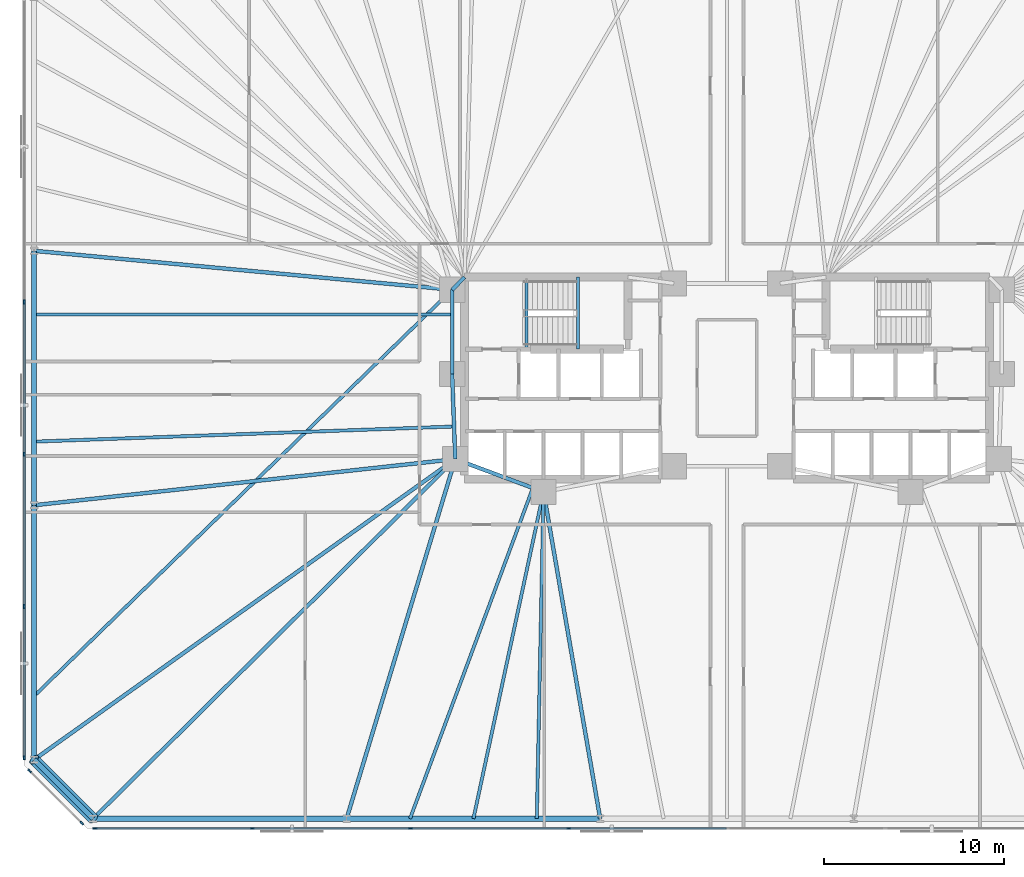
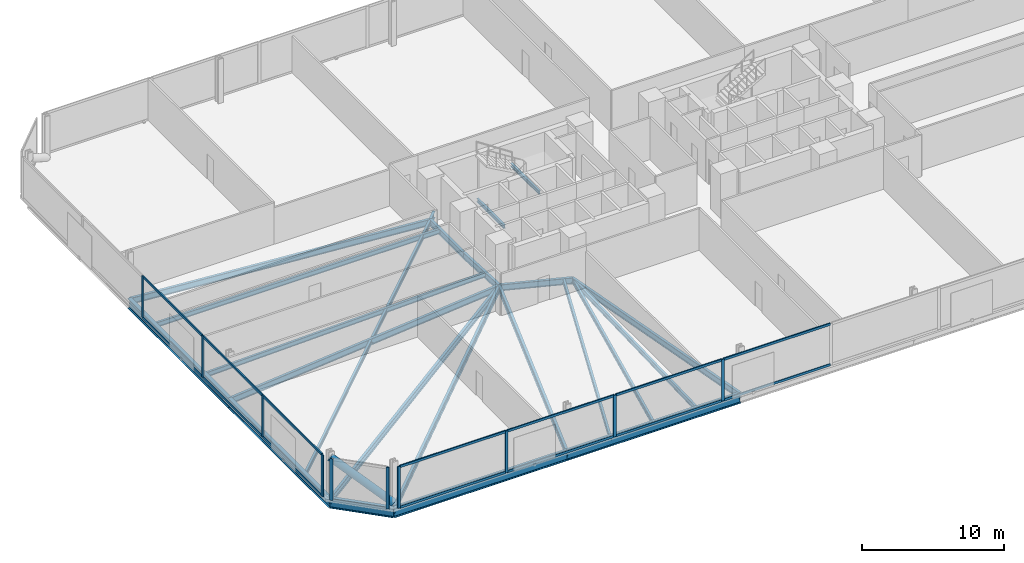
# One storey, part 6 of 17: 25 members, 23 beams, 3 elements without a shape of their own.
"""IFC4 building model written with IfcOpenShell, lengths in metres."""

from ifc_helpers import new_model, si_unit, direction, frame, origin, origin_2d, place, context, subcontext, project, spatial, rectangle, hollow_circle, i_section, extrude, material, material_profile, profile_set, type_object, element, aggregate, save


model = new_model("IFC4")

# Units and contexts
model_context = context("Model", 3, precision=1e-05, world=origin(), true_north=direction((0.0, 1.0)))
body_context = subcontext(model_context, "Body", "Model", "MODEL_VIEW")
ifc_project = project(units=[si_unit("LENGTHUNIT", "METRE"), si_unit("AREAUNIT", "SQUARE_METRE"), si_unit("VOLUMEUNIT", "CUBIC_METRE"), si_unit("PLANEANGLEUNIT", "RADIAN"), si_unit("MASSUNIT", "GRAM", prefix="KILO")], contexts=[model_context])

# Site, building, storey
site_placement = place(None, origin())
site = spatial("IfcSite", under=ifc_project, at=site_placement, CompositionType="ELEMENT")
building_placement = place(site_placement, origin())
building = spatial("IfcBuilding", under=site, at=building_placement, Name="Menara Jurai Vektor", CompositionType="ELEMENT")
storey_placement = place(building_placement, frame((0.0, 0.0, 71.199951171875)))
storey = spatial("IfcBuildingStorey", under=building, at=storey_placement, Name="L17", CompositionType="ELEMENT", Elevation=71.199951171875)

# Curtain wall, members
ifc_material_1 = material(Name="Anodised Pale Aluminium & Low-E Double Glazing", Category="aluminium")
curtain_wall_type = type_object("IfcCurtainWallType", Name="CW-BLK1", PredefinedType="NOTDEFINED", material=ifc_material_1)
curtain_wall_1_placement = place(storey_placement, origin())
curtain_wall_1 = element("IfcCurtainWall", 1, at=curtain_wall_1_placement, inside=storey, type_object=curtain_wall_type, Name="Unitised Curtain Wall L17 F01", PredefinedType="NOTDEFINED")
ifc_material_2 = material(Name="Anodised Pale Aluminium Mullion", Category="aluminium")
ifc_material_profile_1 = material_profile(ifc_material_2, rectangle(XDim=0.094970703125, YDim=0.239990234375, at=origin_2d()), Name="ALU MUL 95x240")
ifc_profile_set_1 = profile_set([ifc_material_profile_1], Name="Anodised Pale Aluminium Mullion")
member_type_1 = type_object("IfcMemberType", Name="CW-BLK1-MUL", PredefinedType="MULLION", material=ifc_profile_set_1)
member_1_placement = place(storey_placement, frame((-35.072509765625, -25.0, 0.0), z_axis=(0.0, 0.0, 1.0), x_axis=(0.0, 1.0, 0.0)))
member_1 = element("IfcMember", 2, at=member_1_placement, type_object=member_type_1, Name="CW-01 mullion 1", PredefinedType="MULLION", context=body_context, shape_type="SweptSolid", body=[
    extrude(rectangle(XDim=0.094970703125, YDim=0.239990234375, at=origin_2d()), origin(), (0.0, 0.0, 1.0), 3.574951171875),
])
member_2_placement = place(storey_placement, frame((-26.340087890625, -25.0, 0.0), z_axis=(0.0, 0.0, 1.0), x_axis=(0.0, 1.0, 0.0)))
member_2 = element("IfcMember", 3, at=member_2_placement, type_object=member_type_1, Name="CW-01 mullion 2", PredefinedType="MULLION", context=body_context, shape_type="SweptSolid", body=[
    extrude(rectangle(XDim=0.094970703125, YDim=0.239990234375, at=origin_2d()), origin(), (0.0, 0.0, 1.0), 3.574951171875),
])
member_3_placement = place(storey_placement, frame((-17.56005859375, -25.0, 0.0), z_axis=(0.0, 0.0, 1.0), x_axis=(0.0, 1.0, 0.0)))
member_3 = element("IfcMember", 4, at=member_3_placement, type_object=member_type_1, Name="CW-01 mullion 3", PredefinedType="MULLION", context=body_context, shape_type="SweptSolid", body=[
    extrude(rectangle(XDim=0.094970703125, YDim=0.239990234375, at=origin_2d()), origin(), (0.0, 0.0, 1.0), 3.574951171875),
])
member_4_placement = place(storey_placement, frame((-8.780029296875, -25.0, 0.0), z_axis=(0.0, 0.0, 1.0), x_axis=(0.0, 1.0, 0.0)))
member_4 = element("IfcMember", 5, at=member_4_placement, type_object=member_type_1, Name="CW-01 mullion 4", PredefinedType="MULLION", context=body_context, shape_type="SweptSolid", body=[
    extrude(rectangle(XDim=0.094970703125, YDim=0.239990234375, at=origin_2d()), origin(), (0.0, 0.0, 1.0), 3.574951171875),
])

curtain_wall_2_placement = place(storey_placement, origin())
curtain_wall_2 = element("IfcCurtainWall", 6, at=curtain_wall_2_placement, inside=storey, type_object=curtain_wall_type, Name="Unitised Curtain Wall L17 F07", PredefinedType="NOTDEFINED")
member_5_placement = place(storey_placement, frame((-39.0, 4.22412109375, 0.0), z_axis=(0.0, 0.0, 1.0), x_axis=(1.0, 0.0, 0.0)))
member_5 = element("IfcMember", 7, at=member_5_placement, type_object=member_type_1, Name="CW-01 mullion 3", PredefinedType="MULLION", context=body_context, shape_type="SweptSolid", body=[
    extrude(rectangle(XDim=0.094970703125, YDim=0.239990234375, at=origin_2d()), origin(), (0.0, 0.0, 1.0), 3.574951171875),
])
member_6_placement = place(storey_placement, frame((-39.0, -4.22412109375, 0.0), z_axis=(0.0, 0.0, 1.0), x_axis=(1.0, 0.0, 0.0)))
member_6 = element("IfcMember", 8, at=member_6_placement, type_object=member_type_1, Name="CW-01 mullion 4", PredefinedType="MULLION", context=body_context, shape_type="SweptSolid", body=[
    extrude(rectangle(XDim=0.094970703125, YDim=0.239990234375, at=origin_2d()), origin(), (0.0, 0.0, 1.0), 3.574951171875),
])
member_7_placement = place(storey_placement, frame((-39.0, -12.672119140625, 0.0), z_axis=(0.0, 0.0, 1.0), x_axis=(1.0, 0.0, 0.0)))
member_7 = element("IfcMember", 9, at=member_7_placement, type_object=member_type_1, Name="CW-01 mullion 5", PredefinedType="MULLION", context=body_context, shape_type="SweptSolid", body=[
    extrude(rectangle(XDim=0.094970703125, YDim=0.239990234375, at=origin_2d()), origin(), (0.0, 0.0, 1.0), 3.574951171875),
])
member_8_placement = place(storey_placement, frame((-39.0, -21.072509765625, 0.0), z_axis=(0.0, 0.0, 1.0), x_axis=(1.0, 0.0, 0.0)))
member_8 = element("IfcMember", 10, at=member_8_placement, type_object=member_type_1, Name="CW-01 mullion 6", PredefinedType="MULLION", context=body_context, shape_type="SweptSolid", body=[
    extrude(rectangle(XDim=0.094970703125, YDim=0.239990234375, at=origin_2d()), origin(), (0.0, 0.0, 1.0), 3.574951171875),
])

curtain_wall_3_placement = place(storey_placement, origin())
curtain_wall_3 = element("IfcCurtainWall", 11, at=curtain_wall_3_placement, inside=storey, type_object=curtain_wall_type, Name="Unitised Curtain Wall L17 F08", PredefinedType="NOTDEFINED")
member_9_placement = place(storey_placement, frame((-38.69775390625, -21.80224609375, 0.0), z_axis=(0.0, 0.0, 1.0), x_axis=(0.707106781187, 0.707106781187, 0.0)))
member_9 = element("IfcMember", 12, at=member_9_placement, type_object=member_type_1, Name="CW-01 mullion 1", PredefinedType="MULLION", context=body_context, shape_type="SweptSolid", body=[
    extrude(rectangle(XDim=0.094970703125, YDim=0.239990234375, at=origin_2d()), origin(), (0.0, 0.0, 1.0), 3.574951171875),
])
member_10_placement = place(storey_placement, frame((-35.80224609375, -24.69775390625, 0.0), z_axis=(0.0, 0.0, 1.0), x_axis=(0.707106781187, 0.707106781187, 0.0)))
member_10 = element("IfcMember", 13, at=member_10_placement, type_object=member_type_1, Name="CW-01 mullion 2", PredefinedType="MULLION", context=body_context, shape_type="SweptSolid", body=[
    extrude(rectangle(XDim=0.094970703125, YDim=0.239990234375, at=origin_2d()), origin(), (0.0, 0.0, 1.0), 3.574951171875),
])
aggregate(curtain_wall_3, [member_9, member_10])

# Member
ifc_material_3 = material(Name="Anodised Pale Aluminium Transom", Category="aluminium")
ifc_material_profile_2 = material_profile(ifc_material_3, rectangle(XDim=0.094970703125, YDim=0.199951171875, at=origin_2d()), Name="ALU TRN 95x200")
ifc_profile_set_2 = profile_set([ifc_material_profile_2], Name="Anodised Pale Aluminium Transom")
member_type_2 = type_object("IfcMemberType", Name="CW-BLK1-TRN", PredefinedType="USERDEFINED", material=ifc_profile_set_2)
member_11_placement = place(storey_placement, frame((-35.02490234375, -25.0, 0.047607421875), z_axis=(1.0, 0.0, 0.0), x_axis=(0.0, 1.0, 0.0)))
member_11 = element("IfcMember", 14, at=member_11_placement, type_object=member_type_2, Name="CW-01 transom 1.1", ObjectType="TRANSOM", PredefinedType="USERDEFINED", context=body_context, shape_type="SweptSolid", body=[
    extrude(rectangle(XDim=0.094970703125, YDim=0.199951171875, at=origin_2d()), origin(), (0.0, 0.0, 1.0), 8.637451171875),
])

member_12_placement = place(storey_placement, frame((-35.02490234375, -25.0, 3.527587890625), z_axis=(1.0, 0.0, 0.0), x_axis=(0.0, 1.0, 0.0)))
member_12 = element("IfcMember", 15, at=member_12_placement, type_object=member_type_2, Name="CW-01 transom 1.2", ObjectType="TRANSOM", PredefinedType="USERDEFINED", context=body_context, shape_type="SweptSolid", body=[
    extrude(rectangle(XDim=0.094970703125, YDim=0.199951171875, at=origin_2d()), origin(), (0.0, 0.0, 1.0), 8.637451171875),
])

member_13_placement = place(storey_placement, frame((-26.29248046875, -25.0, 0.047607421875), z_axis=(1.0, 0.0, 0.0), x_axis=(0.0, 1.0, 0.0)))
member_13 = element("IfcMember", 16, at=member_13_placement, type_object=member_type_2, Name="CW-01 transom 2.1", ObjectType="TRANSOM", PredefinedType="USERDEFINED", context=body_context, shape_type="SweptSolid", body=[
    extrude(rectangle(XDim=0.094970703125, YDim=0.199951171875, at=origin_2d()), origin(), (0.0, 0.0, 1.0), 8.68505859375),
])

member_14_placement = place(storey_placement, frame((-26.29248046875, -25.0, 3.527587890625), z_axis=(1.0, 0.0, 0.0), x_axis=(0.0, 1.0, 0.0)))
member_14 = element("IfcMember", 17, at=member_14_placement, type_object=member_type_2, Name="CW-01 transom 2.2", ObjectType="TRANSOM", PredefinedType="USERDEFINED", context=body_context, shape_type="SweptSolid", body=[
    extrude(rectangle(XDim=0.094970703125, YDim=0.199951171875, at=origin_2d()), origin(), (0.0, 0.0, 1.0), 8.68505859375),
])

member_15_placement = place(storey_placement, frame((-17.512451171875, -25.0, 0.047607421875), z_axis=(1.0, 0.0, 0.0), x_axis=(0.0, 1.0, 0.0)))
member_15 = element("IfcMember", 18, at=member_15_placement, type_object=member_type_2, Name="CW-01 transom 3.1", ObjectType="TRANSOM", PredefinedType="USERDEFINED", context=body_context, shape_type="SweptSolid", body=[
    extrude(rectangle(XDim=0.094970703125, YDim=0.199951171875, at=origin_2d()), origin(), (0.0, 0.0, 1.0), 8.68505859375),
])

member_16_placement = place(storey_placement, frame((-17.512451171875, -25.0, 3.527587890625), z_axis=(1.0, 0.0, 0.0), x_axis=(0.0, 1.0, 0.0)))
member_16 = element("IfcMember", 19, at=member_16_placement, type_object=member_type_2, Name="CW-01 transom 3.2", ObjectType="TRANSOM", PredefinedType="USERDEFINED", context=body_context, shape_type="SweptSolid", body=[
    extrude(rectangle(XDim=0.094970703125, YDim=0.199951171875, at=origin_2d()), origin(), (0.0, 0.0, 1.0), 8.68505859375),
])

member_17_placement = place(storey_placement, frame((-8.732421875, -25.0, 0.047607421875), z_axis=(1.0, 0.0, 0.0), x_axis=(0.0, 1.0, 0.0)))
member_17 = element("IfcMember", 20, at=member_17_placement, type_object=member_type_2, Name="CW-01 transom 4.1", ObjectType="TRANSOM", PredefinedType="USERDEFINED", context=body_context, shape_type="SweptSolid", body=[
    extrude(rectangle(XDim=0.094970703125, YDim=0.199951171875, at=origin_2d()), origin(), (0.0, 0.0, 1.0), 8.684814453125),
])

member_18_placement = place(storey_placement, frame((-8.732421875, -25.0, 3.527587890625), z_axis=(1.0, 0.0, 0.0), x_axis=(0.0, 1.0, 0.0)))
member_18 = element("IfcMember", 21, at=member_18_placement, type_object=member_type_2, Name="CW-01 transom 4.2", ObjectType="TRANSOM", PredefinedType="USERDEFINED", context=body_context, shape_type="SweptSolid", body=[
    extrude(rectangle(XDim=0.094970703125, YDim=0.199951171875, at=origin_2d()), origin(), (0.0, 0.0, 1.0), 8.684814453125),
])

aggregate(curtain_wall_1, [member_1, member_2, member_3, member_4, member_11, member_12, member_13, member_14, member_15, member_16, member_17, member_18])

member_19_placement = place(storey_placement, frame((-39.0, 4.176513671875, 0.047607421875), z_axis=(0.0, -1.0, 0.0), x_axis=(1.0, 0.0, 0.0)))
member_19 = element("IfcMember", 22, at=member_19_placement, type_object=member_type_2, Name="CW-01 transom 3.1", ObjectType="TRANSOM", PredefinedType="USERDEFINED", context=body_context, shape_type="SweptSolid", body=[
    extrude(rectangle(XDim=0.094970703125, YDim=0.199951171875, at=origin_2d()), origin(), (0.0, 0.0, 1.0), 8.35302734375),
])

member_20_placement = place(storey_placement, frame((-39.0, 4.176513671875, 3.527587890625), z_axis=(0.0, -1.0, 0.0), x_axis=(1.0, 0.0, 0.0)))
member_20 = element("IfcMember", 23, at=member_20_placement, type_object=member_type_2, Name="CW-01 transom 3.2", ObjectType="TRANSOM", PredefinedType="USERDEFINED", context=body_context, shape_type="SweptSolid", body=[
    extrude(rectangle(XDim=0.094970703125, YDim=0.199951171875, at=origin_2d()), origin(), (0.0, 0.0, 1.0), 8.35302734375),
])

member_21_placement = place(storey_placement, frame((-39.0, -4.271484375, 0.047607421875), z_axis=(0.0, -1.0, 0.0), x_axis=(1.0, 0.0, 0.0)))
member_21 = element("IfcMember", 24, at=member_21_placement, type_object=member_type_2, Name="CW-01 transom 4.1", ObjectType="TRANSOM", PredefinedType="USERDEFINED", context=body_context, shape_type="SweptSolid", body=[
    extrude(rectangle(XDim=0.094970703125, YDim=0.199951171875, at=origin_2d()), origin(), (0.0, 0.0, 1.0), 8.35302734375),
])

member_22_placement = place(storey_placement, frame((-39.0, -4.271484375, 3.527587890625), z_axis=(0.0, -1.0, 0.0), x_axis=(1.0, 0.0, 0.0)))
member_22 = element("IfcMember", 25, at=member_22_placement, type_object=member_type_2, Name="CW-01 transom 4.2", ObjectType="TRANSOM", PredefinedType="USERDEFINED", context=body_context, shape_type="SweptSolid", body=[
    extrude(rectangle(XDim=0.094970703125, YDim=0.199951171875, at=origin_2d()), origin(), (0.0, 0.0, 1.0), 8.35302734375),
])

member_23_placement = place(storey_placement, frame((-39.0, -12.719482421875, 0.047607421875), z_axis=(0.0, -1.0, 0.0), x_axis=(1.0, 0.0, 0.0)))
member_23 = element("IfcMember", 26, at=member_23_placement, type_object=member_type_2, Name="CW-01 transom 5.1", ObjectType="TRANSOM", PredefinedType="USERDEFINED", context=body_context, shape_type="SweptSolid", body=[
    extrude(rectangle(XDim=0.094970703125, YDim=0.199951171875, at=origin_2d()), origin(), (0.0, 0.0, 1.0), 8.305419921875),
])

member_24_placement = place(storey_placement, frame((-39.0, -12.719482421875, 3.527587890625), z_axis=(0.0, -1.0, 0.0), x_axis=(1.0, 0.0, 0.0)))
member_24 = element("IfcMember", 27, at=member_24_placement, type_object=member_type_2, Name="CW-01 transom 5.2", ObjectType="TRANSOM", PredefinedType="USERDEFINED", context=body_context, shape_type="SweptSolid", body=[
    extrude(rectangle(XDim=0.094970703125, YDim=0.199951171875, at=origin_2d()), origin(), (0.0, 0.0, 1.0), 8.305419921875),
])

aggregate(curtain_wall_2, [member_5, member_6, member_7, member_8, member_19, member_20, member_21, member_22, member_23, member_24])

# Beams
ifc_material_4 = material(Name="Steel S355", Category="steel")
ifc_material_profile_3 = material_profile(ifc_material_4, i_section(OverallWidth=0.2109375, OverallDepth=0.5390625, WebThickness=0.011962890625, FlangeThickness=0.01904296875, FilletRadius=0.012939453125, at=origin_2d()), Name="UKB 533x210x109")
ifc_profile_set_3 = profile_set([ifc_material_profile_3], Name="Steel S355")
beam_type_1 = type_object("IfcBeamType", Name="STR-BM-533", PredefinedType="BEAM", material=ifc_profile_set_3)
beam_1_placement = place(storey_placement, frame((-15.25, 4.89990234375, -0.494384765625), z_axis=(0.701871936926, 0.712303154672, 0.0), x_axis=(-0.712303154672, 0.701871936926, 0.0)))
element("IfcBeam", 28, at=beam_1_placement, inside=storey, type_object=beam_type_1, Name="Core Ring Header Girder L17-CHW-N1", PredefinedType="BEAM", context=body_context, shape_type="SweptSolid", body=[
    extrude(i_section(OverallWidth=0.2109375, OverallDepth=0.5390625, WebThickness=0.011962890625, FlangeThickness=0.01904296875, FilletRadius=0.012939453125, at=origin_2d()), origin(), (0.0, 0.0, 1.0), 0.98291015625),
])
beam_2_placement = place(storey_placement, frame((-15.25, 0.219970703125, -0.494384765625), z_axis=(0.0, 1.0, 0.0), x_axis=(-1.0, 0.0, 0.0)))
element("IfcBeam", 29, at=beam_2_placement, inside=storey, type_object=beam_type_1, Name="Core Ring Header Girder L17-CHW-W1", PredefinedType="BEAM", context=body_context, shape_type="SweptSolid", body=[
    extrude(i_section(OverallWidth=0.2109375, OverallDepth=0.5390625, WebThickness=0.011962890625, FlangeThickness=0.01904296875, FilletRadius=0.012939453125, at=origin_2d()), origin(), (0.0, 0.0, 1.0), 4.679931640625),
])
beam_3_placement = place(storey_placement, frame((-15.080078125, -4.5, -0.494384765625), z_axis=(-0.035977314146, 0.999352606874, 0.0), x_axis=(-0.999352606874, -0.035977314146, 0.0)))
element("IfcBeam", 30, at=beam_3_placement, inside=storey, type_object=beam_type_1, Name="Core Ring Header Girder L17-CHW-W2", PredefinedType="BEAM", context=body_context, shape_type="SweptSolid", body=[
    extrude(i_section(OverallWidth=0.2109375, OverallDepth=0.5390625, WebThickness=0.011962890625, FlangeThickness=0.01904296875, FilletRadius=0.012939453125, at=origin_2d()), origin(), (0.0, 0.0, 1.0), 4.72314453125),
])
beam_4_placement = place(storey_placement, frame((-15.080078125, -4.5, -0.494384765625), z_axis=(0.937424400887, -0.348188874925, 0.0), x_axis=(0.348188874925, 0.937424400887, 0.0)))
element("IfcBeam", 31, at=beam_4_placement, inside=storey, type_object=beam_type_1, Name="Core Ring Header Girder L17-CHW-S1", PredefinedType="BEAM", context=body_context, shape_type="SweptSolid", body=[
    extrude(i_section(OverallWidth=0.2109375, OverallDepth=0.5390625, WebThickness=0.011962890625, FlangeThickness=0.01904296875, FilletRadius=0.012939453125, at=origin_2d()), origin(), (0.0, 0.0, 1.0), 5.227294921875),
])
beam_5_placement = place(storey_placement, frame((-35.177734375, -24.449951171875, -0.494384765625), z_axis=(0.709709931659, 0.704494011972, 0.0), x_axis=(-0.704494011972, 0.709709931659, 0.0)))
element("IfcBeam", 32, at=beam_5_placement, inside=storey, type_object=beam_type_1, Name="Radial Floor Girder L17-S1", PredefinedType="BEAM", context=body_context, shape_type="SweptSolid", body=[
    extrude(i_section(OverallWidth=0.2109375, OverallDepth=0.5390625, WebThickness=0.011962890625, FlangeThickness=0.01904296875, FilletRadius=0.012939453125, at=origin_2d()), origin(), (0.0, 0.0, 1.0), 28.318115234375),
])
beam_6_placement = place(storey_placement, frame((-21.106689453125, -24.449951171875, -0.494384765625), z_axis=(0.289179812203, 0.957274796604, 0.0), x_axis=(-0.957274796604, 0.289179812203, 0.0)))
element("IfcBeam", 33, at=beam_6_placement, inside=storey, type_object=beam_type_1, Name="Radial Floor Girder L17-S2", PredefinedType="BEAM", context=body_context, shape_type="SweptSolid", body=[
    extrude(i_section(OverallWidth=0.2109375, OverallDepth=0.5390625, WebThickness=0.011962890625, FlangeThickness=0.01904296875, FilletRadius=0.012939453125, at=origin_2d()), origin(), (0.0, 0.0, 1.0), 20.84033203125),
])
beam_7_placement = place(storey_placement, frame((-7.03564453125, -24.449951171875, -0.494384765625), z_axis=(-0.170880325642, 0.985291791455, 0.0), x_axis=(-0.985291791455, -0.170880325642, 0.0)))
element("IfcBeam", 34, at=beam_7_placement, inside=storey, type_object=beam_type_1, Name="Radial Floor Girder L17-S3", PredefinedType="BEAM", context=body_context, shape_type="SweptSolid", body=[
    extrude(i_section(OverallWidth=0.2109375, OverallDepth=0.5390625, WebThickness=0.011962890625, FlangeThickness=0.01904296875, FilletRadius=0.012939453125, at=origin_2d()), origin(), (0.0, 0.0, 1.0), 18.400634765625),
])
beam_8_placement = place(storey_placement, frame((-38.449951171875, 7.059326171875, -0.494384765625), z_axis=(0.995696113112, -0.092678208514, 0.0), x_axis=(0.092678208514, 0.995696113112, 0.0)))
element("IfcBeam", 35, at=beam_8_placement, inside=storey, type_object=beam_type_1, Name="Radial Floor Girder L17-W2", PredefinedType="BEAM", context=body_context, shape_type="SweptSolid", body=[
    extrude(i_section(OverallWidth=0.2109375, OverallDepth=0.5390625, WebThickness=0.011962890625, FlangeThickness=0.01904296875, FilletRadius=0.012939453125, at=origin_2d()), origin(), (0.0, 0.0, 1.0), 23.30029296875),
])
beam_9_placement = place(storey_placement, frame((-38.449951171875, -7.059326171875, -0.494384765625), z_axis=(0.994056757953, 0.108863042253, 0.0), x_axis=(-0.108863042253, 0.994056757953, 0.0)))
element("IfcBeam", 36, at=beam_9_placement, inside=storey, type_object=beam_type_1, Name="Radial Floor Girder L17-W3", PredefinedType="BEAM", context=body_context, shape_type="SweptSolid", body=[
    extrude(i_section(OverallWidth=0.2109375, OverallDepth=0.5390625, WebThickness=0.011962890625, FlangeThickness=0.01904296875, FilletRadius=0.012939453125, at=origin_2d()), origin(), (0.0, 0.0, 1.0), 23.509521484375),
])
beam_10_placement = place(storey_placement, frame((-38.449951171875, -21.177734375, -0.494384765625), z_axis=(0.813981033216, 0.580891450759, 0.0), x_axis=(-0.580891450759, 0.813981033216, 0.0)))
element("IfcBeam", 37, at=beam_10_placement, inside=storey, type_object=beam_type_1, Name="Radial Floor Girder L17-W4", PredefinedType="BEAM", context=body_context, shape_type="SweptSolid", body=[
    extrude(i_section(OverallWidth=0.2109375, OverallDepth=0.5390625, WebThickness=0.011962890625, FlangeThickness=0.01904296875, FilletRadius=0.012939453125, at=origin_2d()), origin(), (0.0, 0.0, 1.0), 28.710693359375),
])

# Member
ifc_material_5 = material(Name="Steel S460", Category="steel")
ifc_material_profile_4 = material_profile(ifc_material_5, hollow_circle(Radius=0.304931640625, WallThickness=0.02490234375, at=origin_2d()), Name="CHS 610x25")
ifc_profile_set_4 = profile_set([ifc_material_profile_4], Name="Steel S460")
member_type_3 = type_object("IfcMemberType", Name="STR-BR-610", PredefinedType="BRACE", material=ifc_profile_set_4)
member_25_placement = place(storey_placement, frame((-35.177734375, -24.449951171875, 0.150146484375), z_axis=(-0.588942422958, 0.588942422958, 0.553438022619), x_axis=(-0.707106781187, -0.707106781187, 0.0)))
element("IfcMember", 38, at=member_25_placement, inside=storey, type_object=member_type_3, Name="Exoskeleton Corner Brace L17-4", PredefinedType="BRACE", context=body_context, shape_type="SweptSolid", body=[
    extrude(hollow_circle(Radius=0.304931640625, WallThickness=0.02490234375, at=origin_2d()), origin(), (0.0, 0.0, 1.0), 5.55615234375),
])

# Beams
ifc_material_profile_5 = material_profile(ifc_material_4, i_section(OverallWidth=0.178955078125, OverallDepth=0.408935546875, WebThickness=0.009033203125, FlangeThickness=0.013916015625, FilletRadius=0.010009765625, at=origin_2d()), Name="UKB 406x178x67")
ifc_profile_set_5 = profile_set([ifc_material_profile_5], Name="Steel S355")
beam_type_2 = type_object("IfcBeamType", Name="STR-JS-406", PredefinedType="JOIST", material=ifc_profile_set_5)
beam_11_placement = place(storey_placement, frame((-17.5888671875, -24.449951171875, -0.429443359375), z_axis=(0.348179014223, 0.937428063403, 0.0), x_axis=(-0.937428063403, 0.348179014223, 0.0)))
element("IfcBeam", 39, at=beam_11_placement, inside=storey, type_object=beam_type_2, Name="Radial Secondary Floor Joist L17-JS01", PredefinedType="JOIST", context=body_context, shape_type="SweptSolid", body=[
    extrude(i_section(OverallWidth=0.178955078125, OverallDepth=0.408935546875, WebThickness=0.009033203125, FlangeThickness=0.013916015625, FilletRadius=0.010009765625, at=origin_2d()), origin(), (0.0, 0.0, 1.0), 19.5751953125),
])
beam_12_placement = place(storey_placement, frame((-14.071044921875, -24.449951171875, -0.429443359375), z_axis=(0.209845584412, 0.977734539997, 0.0), x_axis=(-0.977734539997, 0.209845584412, 0.0)))
element("IfcBeam", 40, at=beam_12_placement, inside=storey, type_object=beam_type_2, Name="Radial Secondary Floor Joist L17-JS02", PredefinedType="JOIST", context=body_context, shape_type="SweptSolid", body=[
    extrude(i_section(OverallWidth=0.178955078125, OverallDepth=0.408935546875, WebThickness=0.009033203125, FlangeThickness=0.013916015625, FilletRadius=0.010009765625, at=origin_2d()), origin(), (0.0, 0.0, 1.0), 18.542724609375),
])
beam_13_placement = place(storey_placement, frame((-10.55322265625, -24.449951171875, -0.429443359375), z_axis=(0.020585456509, 0.999788097039, 0.0), x_axis=(-0.999788097039, 0.020585456509, 0.0)))
element("IfcBeam", 41, at=beam_13_placement, inside=storey, type_object=beam_type_2, Name="Radial Secondary Floor Joist L17-JS03", PredefinedType="JOIST", context=body_context, shape_type="SweptSolid", body=[
    extrude(i_section(OverallWidth=0.178955078125, OverallDepth=0.408935546875, WebThickness=0.009033203125, FlangeThickness=0.013916015625, FilletRadius=0.010009765625, at=origin_2d()), origin(), (0.0, 0.0, 1.0), 18.1337890625),
])
beam_14_placement = place(storey_placement, frame((-38.449951171875, 3.529541015625, -0.429443359375), z_axis=(1.0, 0.0, 0.0), x_axis=(0.0, 1.0, 0.0)))
element("IfcBeam", 42, at=beam_14_placement, inside=storey, type_object=beam_type_2, Name="Radial Secondary Floor Joist L17-JS35", PredefinedType="JOIST", context=body_context, shape_type="SweptSolid", body=[
    extrude(i_section(OverallWidth=0.178955078125, OverallDepth=0.408935546875, WebThickness=0.009033203125, FlangeThickness=0.013916015625, FilletRadius=0.010009765625, at=origin_2d()), origin(), (0.0, 0.0, 1.0), 23.199951171875),
])
beam_15_placement = place(storey_placement, frame((-38.449951171875, -3.529541015625, -0.429443359375), z_axis=(0.999352032814, 0.035993256462, 0.0), x_axis=(-0.035993256462, 0.999352032814, 0.0)))
element("IfcBeam", 43, at=beam_15_placement, inside=storey, type_object=beam_type_2, Name="Radial Secondary Floor Joist L17-JS36", PredefinedType="JOIST", context=body_context, shape_type="SweptSolid", body=[
    extrude(i_section(OverallWidth=0.178955078125, OverallDepth=0.408935546875, WebThickness=0.009033203125, FlangeThickness=0.013916015625, FilletRadius=0.010009765625, at=origin_2d()), origin(), (0.0, 0.0, 1.0), 23.31982421875),
])
beam_16_placement = place(storey_placement, frame((-38.449951171875, -17.648193359375, -0.429443359375), z_axis=(0.71710942187, 0.696960599363, 0.0), x_axis=(-0.696960599363, 0.71710942187, 0.0)))
element("IfcBeam", 44, at=beam_16_placement, inside=storey, type_object=beam_type_2, Name="Radial Secondary Floor Joist L17-JS37", PredefinedType="JOIST", context=body_context, shape_type="SweptSolid", body=[
    extrude(i_section(OverallWidth=0.178955078125, OverallDepth=0.408935546875, WebThickness=0.009033203125, FlangeThickness=0.013916015625, FilletRadius=0.010009765625, at=origin_2d()), origin(), (0.0, 0.0, 1.0), 32.35205078125),
])
ifc_material_profile_6 = material_profile(ifc_material_4, i_section(OverallWidth=0.1650390625, OverallDepth=0.302978515625, WebThickness=0.006103515625, FlangeThickness=0.010009765625, FilletRadius=0.009033203125, at=origin_2d()), Name="UKB 305x165x40")
ifc_profile_set_6 = profile_set([ifc_material_profile_6], Name="Steel S355")
beam_type_3 = type_object("IfcBeamType", Name="STR-LN-305", PredefinedType="LINTEL", material=ifc_profile_set_6)
beam_17_placement = place(storey_placement, frame((-11.1201171875, 1.60009765625, -0.37646484375), z_axis=(0.0, 1.0, 0.0), x_axis=(-1.0, 0.0, 0.0)))
element("IfcBeam", 45, at=beam_17_placement, inside=storey, type_object=beam_type_3, Name="Stair Well Floor Trimmer ST1 L17", PredefinedType="LINTEL", context=body_context, shape_type="SweptSolid", body=[
    extrude(i_section(OverallWidth=0.1650390625, OverallDepth=0.302978515625, WebThickness=0.006103515625, FlangeThickness=0.010009765625, FilletRadius=0.009033203125, at=origin_2d()), origin(), (0.0, 0.0, 1.0), 3.81982421875),
])
beam_18_placement = place(storey_placement, frame((-8.27001953125, 1.60009765625, 1.548583984375), z_axis=(0.0, 1.0, 0.0), x_axis=(-1.0, 0.0, 0.0)))
element("IfcBeam", 46, at=beam_18_placement, inside=storey, type_object=beam_type_3, Name="Stair Half-Landing Nosing Trimmer ST1-1 L17", PredefinedType="LINTEL", context=body_context, shape_type="SweptSolid", body=[
    extrude(i_section(OverallWidth=0.1650390625, OverallDepth=0.302978515625, WebThickness=0.006103515625, FlangeThickness=0.010009765625, FilletRadius=0.009033203125, at=origin_2d()), origin(), (0.0, 0.0, 1.0), 4.0),
])
ifc_material_profile_7 = material_profile(ifc_material_5, i_section(OverallWidth=0.2939453125, OverallDepth=0.85107421875, WebThickness=0.01611328125, FlangeThickness=0.027099609375, FilletRadius=0.01806640625, at=origin_2d()), Name="UKB 838x292x226")
ifc_profile_set_7 = profile_set([ifc_material_profile_7], Name="Steel S460")
beam_type_4 = type_object("IfcBeamType", Name="STR-SP-838", PredefinedType="SPANDREL", material=ifc_profile_set_7)
for number, where, z_axis, x_axis, name in (
    (47, (-35.177734375, -24.449951171875, -0.650390625), (1.0, 0.0, 0.0), (0.0, 1.0, 0.0), "Exoskeleton Spandrel Beam L17-01"),
    (48, (-21.106689453125, -24.449951171875, -0.650390625), (1.0, 0.0, 0.0), (0.0, 1.0, 0.0), "Exoskeleton Spandrel Beam L17-02"),
):
    element("IfcBeam", number, at=place(storey_placement, frame(where, z_axis=z_axis, x_axis=x_axis)), inside=storey, type_object=beam_type_4, Name=name, PredefinedType="SPANDREL", context=body_context, shape_type="SweptSolid", body=[
        extrude(i_section(OverallWidth=0.2939453125, OverallDepth=0.85107421875, WebThickness=0.01611328125, FlangeThickness=0.027099609375, FilletRadius=0.01806640625, at=origin_2d()), origin(), (0.0, 0.0, 1.0), 14.071044921875),
    ])
beam_19_placement = place(storey_placement, frame((-38.449951171875, 7.059326171875, -0.650390625), z_axis=(0.0, -1.0, 0.0), x_axis=(1.0, 0.0, 0.0)))
element("IfcBeam", 49, at=beam_19_placement, inside=storey, type_object=beam_type_4, Name="Exoskeleton Spandrel Beam L17-18", PredefinedType="SPANDREL", context=body_context, shape_type="SweptSolid", body=[
    extrude(i_section(OverallWidth=0.2939453125, OverallDepth=0.85107421875, WebThickness=0.01611328125, FlangeThickness=0.027099609375, FilletRadius=0.01806640625, at=origin_2d()), origin(), (0.0, 0.0, 1.0), 14.11865234375),
])
beam_20_placement = place(storey_placement, frame((-38.449951171875, -7.059326171875, -0.650390625), z_axis=(0.0, -1.0, 0.0), x_axis=(1.0, 0.0, 0.0)))
element("IfcBeam", 50, at=beam_20_placement, inside=storey, type_object=beam_type_4, Name="Exoskeleton Spandrel Beam L17-19", PredefinedType="SPANDREL", context=body_context, shape_type="SweptSolid", body=[
    extrude(i_section(OverallWidth=0.2939453125, OverallDepth=0.85107421875, WebThickness=0.01611328125, FlangeThickness=0.027099609375, FilletRadius=0.01806640625, at=origin_2d()), origin(), (0.0, 0.0, 1.0), 14.118408203125),
])
beam_21_placement = place(storey_placement, frame((-38.449951171875, -21.177734375, -0.650390625), z_axis=(0.707106781187, -0.707106781187, 0.0), x_axis=(0.707106781187, 0.707106781187, 0.0)))
element("IfcBeam", 51, at=beam_21_placement, inside=storey, type_object=beam_type_4, Name="Exoskeleton Spandrel Beam L17-20", PredefinedType="SPANDREL", context=body_context, shape_type="SweptSolid", body=[
    extrude(i_section(OverallWidth=0.2939453125, OverallDepth=0.85107421875, WebThickness=0.01611328125, FlangeThickness=0.027099609375, FilletRadius=0.01806640625, at=origin_2d()), origin(), (0.0, 0.0, 1.0), 4.627685546875),
])

save(model, "model.ifc")
